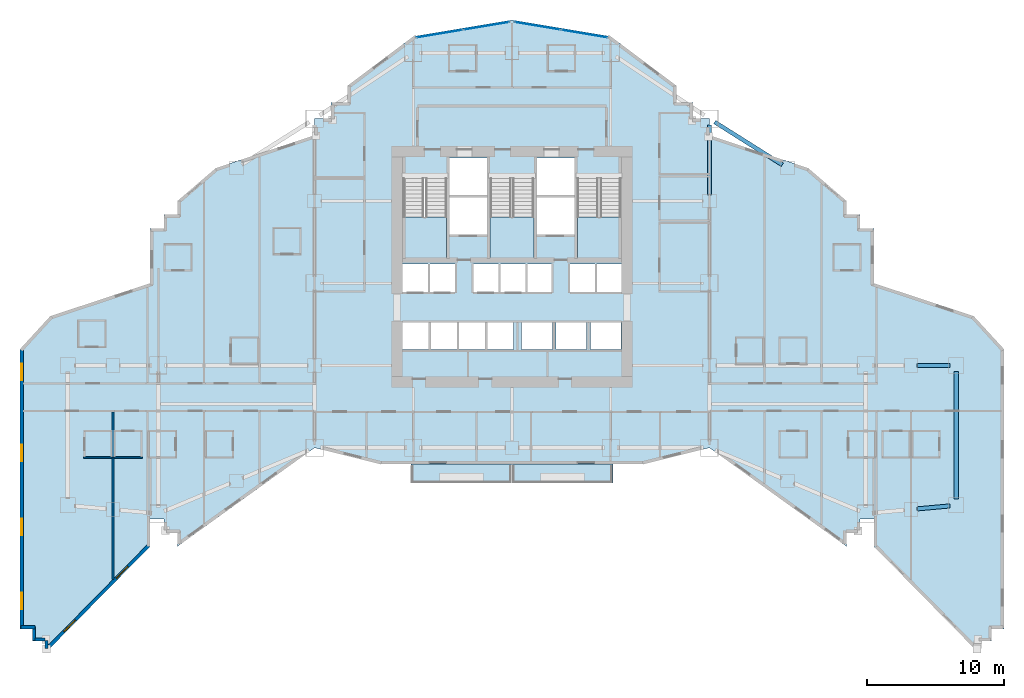
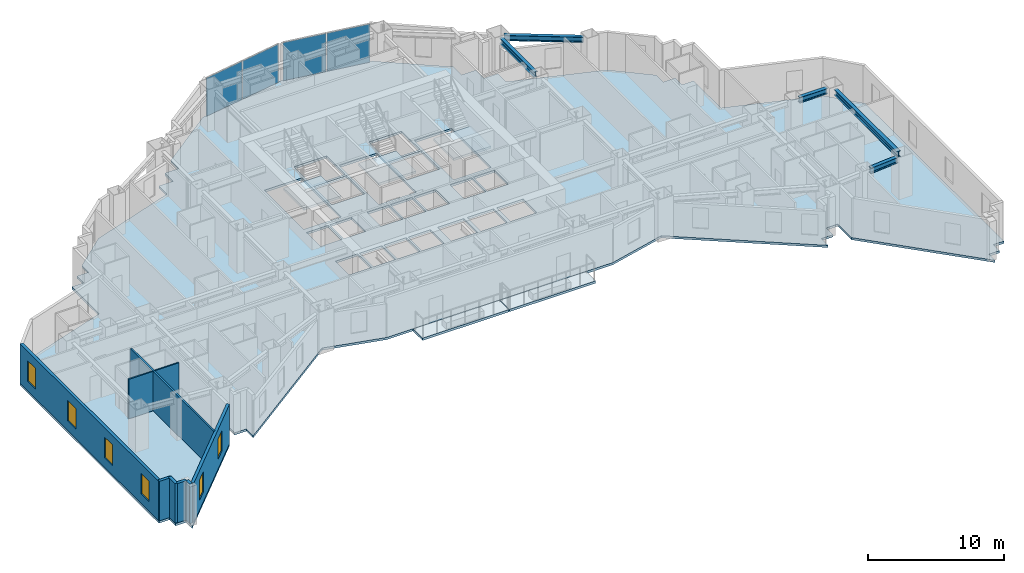
# One storey, part 6 of 19: 9 walls, 6 slabs, 6 windows, 5 beams, 4 plates, 6 openings, 5 elements without a shape of their own.
"""IFC4 building model written with IfcOpenShell, lengths in metres."""

import ifcopenshell
import ifcopenshell.guid

model = None  # the IFC model being written
_history = None  # IfcOwnerHistory: only IFC2X3 demands one
_inside = {}  # id of a spatial element -> (the spatial element, [elements in it])
_under = {}  # id of a project, library or spatial element -> (it, [spatial elements below it])
_declared = {}  # id of a project -> (the project, [libraries it declares])
_typed = {}  # id of a type object -> (the type object, [elements of that type])
_made_of = {}  # id of a material, layer set ... -> (it, [elements and type objects made of it])


def new_model(schema):
    """Start an empty IFC model of exactly this schema.

    Asked for "IFC4X3", IfcOpenShell would pick the latest addendum, in which some entities
    have other attributes; the version numbers below select the first issue.
    IFC2X3 requires an IfcOwnerHistory on every rooted entity: one is made here for all.
    """
    global model, _history
    if schema == "IFC4X3":
        model = ifcopenshell.file(schema_version=(4, 3, 0, 0))
    else:
        model = ifcopenshell.file(schema=schema)
    _inside.clear()
    _under.clear()
    _declared.clear()
    _typed.clear()
    _made_of.clear()
    _history = None
    if model.schema == "IFC2X3":
        org = make("IfcOrganization", Name="unknown")
        user = make(
            "IfcPersonAndOrganization",
            ThePerson=make("IfcPerson", FamilyName="unknown"),
            TheOrganization=org,
        )
        app = make(
            "IfcApplication",
            ApplicationDeveloper=org,
            Version="unknown",
            ApplicationFullName="unknown",
            ApplicationIdentifier="unknown",
        )
        _history = make(
            "IfcOwnerHistory",
            OwningUser=user,
            OwningApplication=app,
            ChangeAction="ADDED",
            CreationDate=0,
        )
    return model


def make(cls, **values):
    """One entity of the class cls with the attributes given. An attribute that is None is left unset."""
    return model.create_entity(
        cls, **{name: value for name, value in values.items() if value is not None}
    )


def rooted(cls, **values):
    """An entity with a GlobalId (a new one), such as an element, a storey or a relation."""
    return make(cls, GlobalId=ifcopenshell.guid.new(), OwnerHistory=_history, **values)


def si_unit(unit_type, name, prefix=None):
    """IfcSIUnit, for example si_unit("LENGTHUNIT", "METRE", prefix="MILLI")."""
    return make("IfcSIUnit", UnitType=unit_type, Prefix=prefix, Name=name)


def assignment(units):
    """IfcUnitAssignment: the units of a project."""
    return None if units is None else make("IfcUnitAssignment", Units=units)


def point(xyz):
    """IfcCartesianPoint."""
    return None if xyz is None else make("IfcCartesianPoint", Coordinates=xyz)


def direction(xyz):
    """IfcDirection."""
    return None if xyz is None else make("IfcDirection", DirectionRatios=xyz)


def frame(location, z_axis=None, x_axis=None):
    """IfcAxis2Placement3D, a coordinate frame: its origin and axes. An axis left out is left unset."""
    return make(
        "IfcAxis2Placement3D",
        Location=point(location),
        Axis=direction(z_axis),
        RefDirection=direction(x_axis),
    )


def frame_2d(location, x_axis=None):
    """IfcAxis2Placement2D, a coordinate frame in the plane: its origin and x axis."""
    return make(
        "IfcAxis2Placement2D", Location=point(location), RefDirection=direction(x_axis)
    )


def origin():
    """The frame at (0, 0, 0) with its axes left unset."""
    return frame((0.0, 0.0, 0.0))


def origin_2d():
    """The frame at (0, 0) in the plane with its x axis left unset."""
    return frame_2d((0.0, 0.0))


def place(relative_to, where):
    """IfcLocalPlacement: puts the frame where relative to a parent placement (None: the world)."""
    return make(
        "IfcLocalPlacement", PlacementRelTo=relative_to, RelativePlacement=where
    )


def context(
    kind, dimensions, precision=None, world=None, true_north=None, identifier=None
):
    """IfcGeometricRepresentationContext, for example the 3D "Model" context."""
    return make(
        "IfcGeometricRepresentationContext",
        ContextIdentifier=identifier,
        ContextType=kind,
        CoordinateSpaceDimension=dimensions,
        Precision=precision,
        WorldCoordinateSystem=world,
        TrueNorth=true_north,
    )


def subcontext(parent, identifier, kind, view, scale=None):
    """IfcGeometricRepresentationSubContext, for example "Body" below "Model"."""
    return make(
        "IfcGeometricRepresentationSubContext",
        ContextIdentifier=identifier,
        ContextType=kind,
        ParentContext=parent,
        TargetScale=scale,
        TargetView=view,
    )


def project(units=None, contexts=None):
    """IfcProject with its units and contexts."""
    return rooted(
        "IfcProject",
        Name="project",
        RepresentationContexts=contexts,
        UnitsInContext=assignment(units),
    )


def spatial(cls, under=None, at=None, **own):
    """A site, building, storey or space (cls), placed at a placement, below another one or the project."""
    s = rooted(cls, ObjectPlacement=at, **own)
    if under is not None:
        _under.setdefault(under.id(), (under, []))[1].append(s)
    return s


def polyline(points):
    """IfcPolyline through the points."""
    return make("IfcPolyline", Points=[point(p) for p in points])


def profile(cls, at=None, kind="AREA", **sizes):
    """A parametric profile (cls). Its sizes go by their IFC names, for example OverallWidth=200.0."""
    return make(cls, ProfileType=kind, Position=at, **sizes)


def rectangle(**sizes):
    """IfcRectangleProfileDef."""
    return profile("IfcRectangleProfileDef", **sizes)


def i_section(**sizes):
    """IfcIShapeProfileDef."""
    return profile("IfcIShapeProfileDef", **sizes)


def outline(outer, holes=None, kind="AREA"):
    """IfcArbitraryClosedProfileDef: a profile drawn as a closed curve; with holes, ...WithVoids."""
    if holes is None:
        return make("IfcArbitraryClosedProfileDef", ProfileType=kind, OuterCurve=outer)
    return make(
        "IfcArbitraryProfileDefWithVoids",
        ProfileType=kind,
        OuterCurve=outer,
        InnerCurves=holes,
    )


def extrude(swept, where, along, depth):
    """IfcExtrudedAreaSolid: the profile swept, set in the frame where, extruded along a direction by depth."""
    return make(
        "IfcExtrudedAreaSolid",
        SweptArea=swept,
        Position=where,
        ExtrudedDirection=direction(along),
        Depth=depth,
    )


def shape(context_of_items, identifier, shape_type, items):
    """IfcShapeRepresentation: the items that make up one representation, for example the "Body"."""
    return make(
        "IfcShapeRepresentation",
        ContextOfItems=context_of_items,
        RepresentationIdentifier=identifier,
        RepresentationType=shape_type,
        Items=items,
    )


def material(Name=None, Category=None):
    """IfcMaterial."""
    return make("IfcMaterial", Name=Name, Category=Category)


def layer(
    of_material, thickness, ventilated=None, Name=None, Category=None, Priority=None
):
    """IfcMaterialLayer: one layer of a wall or slab, of a material (None: an air gap)."""
    return make(
        "IfcMaterialLayer",
        Material=of_material,
        LayerThickness=thickness,
        IsVentilated=ventilated,
        Name=Name,
        Category=Category,
        Priority=Priority,
    )


def layer_set(layers, Name=None):
    """IfcMaterialLayerSet."""
    return make("IfcMaterialLayerSet", MaterialLayers=layers, LayerSetName=Name)


def material_profile(
    of_material, cross_section, Name=None, Category=None, Priority=None
):
    """IfcMaterialProfile: a cross section and its material."""
    return make(
        "IfcMaterialProfile",
        Name=Name,
        Material=of_material,
        Profile=cross_section,
        Priority=Priority,
        Category=Category,
    )


def profile_set(profiles, Name=None, composite=None):
    """IfcMaterialProfileSet."""
    return make(
        "IfcMaterialProfileSet",
        Name=Name,
        MaterialProfiles=profiles,
        CompositeProfile=composite,
    )


def made_of(thing, what):
    """Note that an element or type object is made of a material, layer set ...; save() writes the relation."""
    if what is not None:
        _made_of.setdefault(what.id(), (what, []))[1].append(thing)
    return thing


def type_object(cls, material=None, **own):
    """A type object (cls), such as IfcWallType, which elements share."""
    return made_of(rooted(cls, **own), material)


def element(
    cls,
    number,
    at=None,
    inside=None,
    cuts=None,
    type_object=None,
    material=None,
    context=None,
    identifier="Body",
    shape_type=None,
    held_by="IfcProductDefinitionShape",
    body=None,
    shapes=None,
    **own,
):
    """One element of the class cls, such as IfcWall. Its Tag is "e" and its number.

    at: its placement. inside: the storey or other place that contains it. cuts: it is an
    opening in that element (IfcRelVoidsElement). A single representation is given by context,
    identifier, shape_type and body (its items); several are given by shapes. held_by: the class
    of the entity that holds the representations. save() writes the other relations.
    """
    e = rooted(cls, Tag="e%d" % number, ObjectPlacement=at, **own)
    if body is not None:
        shapes = [shape(context, identifier, shape_type, body)]
    if shapes is not None:
        e.Representation = make(held_by, Representations=shapes)
    if inside is not None:
        _inside.setdefault(inside.id(), (inside, []))[1].append(e)
    if cuts is not None:
        rooted(
            "IfcRelVoidsElement", RelatingBuildingElement=cuts, RelatedOpeningElement=e
        )
    if type_object is not None:
        _typed.setdefault(type_object.id(), (type_object, []))[1].append(e)
    return made_of(e, material)


def fill(opening, filler):
    """IfcRelFillsElement: the door or window that sits in an opening."""
    return rooted(
        "IfcRelFillsElement",
        RelatingOpeningElement=opening,
        RelatedBuildingElement=filler,
    )


def aggregate(whole, parts):
    """IfcRelAggregates: a whole, such as a stair, and the parts it consists of."""
    return rooted("IfcRelAggregates", RelatingObject=whole, RelatedObjects=parts)


def save(model, path):
    """Write the relations noted so far, then the file.

    IfcRelAggregates (storeys below a building ...), IfcRelContainedInSpatialStructure (elements
    in a storey), IfcRelDefinesByType, IfcRelAssociatesMaterial and IfcRelDeclares: one each for
    every whole, place, type object, material and project.
    """
    for whole, parts in _under.values():
        aggregate(whole, parts)
    for where, things in _inside.values():
        rooted(
            "IfcRelContainedInSpatialStructure",
            RelatedElements=things,
            RelatingStructure=where,
        )
    for kind, things in _typed.values():
        rooted("IfcRelDefinesByType", RelatedObjects=things, RelatingType=kind)
    for what, things in _made_of.values():
        rooted("IfcRelAssociatesMaterial", RelatedObjects=things, RelatingMaterial=what)
    for by, libraries in _declared.values():
        rooted("IfcRelDeclares", RelatingContext=by, RelatedDefinitions=libraries)
    model.write(path)


model = new_model("IFC4")

# Units and contexts
model_context = context("Model", 3, precision=1e-05, world=origin(), true_north=direction((0.0, 1.0)))
body_context = subcontext(model_context, "Body", "Model", "MODEL_VIEW")
ifc_project = project(units=[si_unit("LENGTHUNIT", "METRE"), si_unit("AREAUNIT", "SQUARE_METRE"), si_unit("VOLUMEUNIT", "CUBIC_METRE"), si_unit("PLANEANGLEUNIT", "RADIAN"), si_unit("MASSUNIT", "GRAM", prefix="KILO")], contexts=[model_context])

# Site, building, storey
site_placement = place(None, origin())
site = spatial("IfcSite", under=ifc_project, at=site_placement, CompositionType="ELEMENT")
building_placement = place(site_placement, origin())
building = spatial("IfcBuilding", under=site, at=building_placement, Name="Haolan Belvedere Tower", CompositionType="ELEMENT")
storey_placement = place(building_placement, frame((0.0, 0.0, 39.199951171875)))
storey = spatial("IfcBuildingStorey", under=building, at=storey_placement, Name="L09", CompositionType="ELEMENT", Elevation=39.199951171875)

# Beams
ifc_material_1 = material(Name="Steel Q355B", Category="steel")
ifc_material_profile = material_profile(ifc_material_1, i_section(OverallWidth=0.300048828125, OverallDepth=0.488037109375, WebThickness=0.010986328125, FlangeThickness=0.01806640625, FilletRadius=0.02587890625, at=origin_2d()), Name="Steel Q355B")
ifc_profile_set = profile_set([ifc_material_profile], Name="Steel Q355B")
beam_type = type_object("IfcBeamType", Name="BM-HM488x300x11x18", PredefinedType="SPANDREL", material=ifc_profile_set)
beam_1_placement = place(storey_placement, frame((52.800048828125, 40.050048828125, 3.296142578125), z_axis=(0.0, 1.0, 0.0), x_axis=(-1.0, 0.0, 0.0)))
element("IfcBeam", 1, at=beam_1_placement, inside=storey, type_object=beam_type, Name="L09 spandrel girder TC-T3-E2-MC-T3-NE", PredefinedType="SPANDREL", context=body_context, shape_type="SweptSolid", body=[
    extrude(i_section(OverallWidth=0.300048828125, OverallDepth=0.488037109375, WebThickness=0.010986328125, FlangeThickness=0.01806640625, FilletRadius=0.02587890625, at=origin_2d()), origin(), (0.0, 0.0, 1.0), 5.099853515625),
])
beam_2_placement = place(storey_placement, frame((53.180419921875, 45.359619140625, 3.296142578125), z_axis=(0.845497840649, -0.533978839898, 0.0), x_axis=(0.533978839898, 0.845497840649, 0.0)))
element("IfcBeam", 2, at=beam_2_placement, inside=storey, type_object=beam_type, Name="L09 spandrel girder MC-T3-NE-TC-T4-N1", PredefinedType="SPANDREL", context=body_context, shape_type="SweptSolid", body=[
    extrude(i_section(OverallWidth=0.300048828125, OverallDepth=0.488037109375, WebThickness=0.010986328125, FlangeThickness=0.01806640625, FilletRadius=0.02587890625, at=origin_2d()), origin(), (0.0, 0.0, 1.0), 5.841796875),
])
beam_3_placement = place(storey_placement, frame((70.800048828125, 17.85009765625, 3.296142578125), z_axis=(0.0, 1.0, 0.0), x_axis=(-1.0, 0.0, 0.0)))
element("IfcBeam", 3, at=beam_3_placement, inside=storey, type_object=beam_type, Name="L09 spandrel girder MC-T5-SE-MC-T5-NE", PredefinedType="SPANDREL", context=body_context, shape_type="SweptSolid", body=[
    extrude(i_section(OverallWidth=0.300048828125, OverallDepth=0.488037109375, WebThickness=0.010986328125, FlangeThickness=0.01806640625, FilletRadius=0.02587890625, at=origin_2d()), origin(), (0.0, 0.0, 1.0), 9.2998046875),
])
beam_4_placement = place(storey_placement, frame((67.9482421875, 17.140625, 3.296142578125), z_axis=(0.995884080761, 0.090636072764, 0.0), x_axis=(-0.090636072764, 0.995884080761, 0.0)))
element("IfcBeam", 4, at=beam_4_placement, inside=storey, type_object=beam_type, Name="L09 spandrel girder TC-T5-M1-MC-T5-SE", PredefinedType="SPANDREL", context=body_context, shape_type="SweptSolid", body=[
    extrude(i_section(OverallWidth=0.300048828125, OverallDepth=0.488037109375, WebThickness=0.010986328125, FlangeThickness=0.01806640625, FilletRadius=0.02587890625, at=origin_2d()), origin(), (0.0, 0.0, 1.0), 2.41357421875),
])
beam_5_placement = place(storey_placement, frame((67.949951171875, 27.60009765625, 3.296142578125), z_axis=(1.0, 0.0, 0.0), x_axis=(0.0, 1.0, 0.0)))
element("IfcBeam", 5, at=beam_5_placement, inside=storey, type_object=beam_type, Name="L09 spandrel girder TC-T5-M2-MC-T5-NE", PredefinedType="SPANDREL", context=body_context, shape_type="SweptSolid", body=[
    extrude(i_section(OverallWidth=0.300048828125, OverallDepth=0.488037109375, WebThickness=0.010986328125, FlangeThickness=0.01806640625, FilletRadius=0.02587890625, at=origin_2d()), origin(), (0.0, 0.0, 1.0), 2.400146484375),
])

# Curtain wall, plates
ifc_material_2 = material(Name="Anodised champagne-silver aluminium 6063-T6 and Low-E glass", Category="aluminium")
ifc_layer_1 = layer(ifc_material_2, 0.1650390625, Name="Anodised champagne-silver aluminium 6063-T6 and Low-E glass")
ifc_layer_set_1 = layer_set([ifc_layer_1], Name="Anodised champagne-silver aluminium 6063-T6 and Low-E glass")
curtain_wall_type = type_object("IfcCurtainWallType", Name="CW-SYS-02", PredefinedType="NOTDEFINED", material=ifc_layer_set_1)
curtain_wall_1_placement = place(storey_placement, origin())
curtain_wall_1 = element("IfcCurtainWall", 6, at=curtain_wall_1_placement, inside=storey, type_object=curtain_wall_type, Name="L09 CW-SYS-02 ribbon curtain wall 42.1", PredefinedType="NOTDEFINED")
ifc_material_3 = material(Name="Double silver Low-E laminated insulating glass", Category="glass")
ifc_layer_2 = layer(ifc_material_3, 0.02587890625, Name="Double silver Low-E laminated insulating glass")
ifc_layer_set_2 = layer_set([ifc_layer_2], Name="Double silver Low-E laminated insulating glass")
plate_type = type_object("IfcPlateType", Name="CW-SYS-02-PNL", PredefinedType="CURTAIN_PANEL", material=ifc_layer_set_2)
plate_1_placement = place(storey_placement, frame((43.6796875, 51.79833984375, 0.05517578125), z_axis=(0.0, 0.0, 1.0), x_axis=(-0.9863931483, 0.16440364043, 0.0)))
plate_1 = element("IfcPlate", 7, at=plate_1_placement, type_object=plate_type, Name="CW-02 panel 1.1", PredefinedType="CURTAIN_PANEL", context=body_context, shape_type="SweptSolid", body=[
    extrude(rectangle(XDim=3.39501953125, YDim=0.02587890625, at=origin_2d()), origin(), (0.0, 0.0, 1.0), 3.429931640625),
])
plate_2_placement = place(storey_placement, frame((40.271728515625, 52.366455078125, 0.05517578125), z_axis=(0.0, 0.0, 1.0), x_axis=(-0.9863931483, 0.16440364043, 0.0)))
plate_2 = element("IfcPlate", 8, at=plate_2_placement, type_object=plate_type, Name="CW-02 panel 2.1", PredefinedType="CURTAIN_PANEL", context=body_context, shape_type="SweptSolid", body=[
    extrude(rectangle(XDim=3.39501953125, YDim=0.02587890625, at=origin_2d()), origin(), (0.0, 0.0, 1.0), 3.429931640625),
])
aggregate(curtain_wall_1, [plate_1, plate_2])

curtain_wall_2_placement = place(storey_placement, origin())
curtain_wall_2 = element("IfcCurtainWall", 9, at=curtain_wall_2_placement, inside=storey, type_object=curtain_wall_type, Name="L09 CW-SYS-02 ribbon curtain wall 43.1", PredefinedType="NOTDEFINED")
plate_3_placement = place(storey_placement, frame((36.5283203125, 52.366455078125, 0.05517578125), z_axis=(0.0, 0.0, 1.0), x_axis=(-0.9863931483, -0.16440364043, 0.0)))
plate_3 = element("IfcPlate", 10, at=plate_3_placement, type_object=plate_type, Name="CW-02 panel 1.1", PredefinedType="CURTAIN_PANEL", context=body_context, shape_type="SweptSolid", body=[
    extrude(rectangle(XDim=3.39501953125, YDim=0.02587890625, at=origin_2d()), origin(), (0.0, 0.0, 1.0), 3.429931640625),
])
plate_4_placement = place(storey_placement, frame((33.120361328125, 51.79833984375, 0.05517578125), z_axis=(0.0, 0.0, 1.0), x_axis=(-0.9863931483, -0.16440364043, 0.0)))
plate_4 = element("IfcPlate", 11, at=plate_4_placement, type_object=plate_type, Name="CW-02 panel 2.1", PredefinedType="CURTAIN_PANEL", context=body_context, shape_type="SweptSolid", body=[
    extrude(rectangle(XDim=3.39501953125, YDim=0.02587890625, at=origin_2d()), origin(), (0.0, 0.0, 1.0), 3.429931640625),
])
aggregate(curtain_wall_2, [plate_3, plate_4])

# Slabs
ifc_material_4 = material(Name="Concrete C40/50", Category="concrete")
ifc_layer_3 = layer(ifc_material_4, 0.2099609375, Name="Concrete C40/50")
ifc_layer_set_3 = layer_set([ifc_layer_3], Name="Concrete C40/50")
slab_type_1 = type_object("IfcSlabType", Name="SL-BAL-210", PredefinedType="FLOOR", material=ifc_layer_set_3)
slab_1_placement = place(storey_placement, frame((0.0, 0.0, -0.22998046875)))
element("IfcSlab", 12, at=slab_1_placement, inside=storey, type_object=slab_type_1, Name="L09 structural tree-planter balcony slab BAL-L09-S1", PredefinedType="FLOOR", context=body_context, shape_type="SweptSolid", body=[
    extrude(outline(polyline([(31.050048828125, 19.02001953125), (38.3798828125, 19.02001953125), (38.3798828125, 20.39990234375), (31.050048828125, 20.39990234375), (31.050048828125, 19.02001953125)])), origin(), (0.0, 0.0, 1.0), 0.2099609375),
])
slab_2_placement = place(storey_placement, frame((0.0, 0.0, -0.22998046875)))
element("IfcSlab", 13, at=slab_2_placement, inside=storey, type_object=slab_type_1, Name="L09 structural tree-planter balcony slab BAL-L09-S2", PredefinedType="FLOOR", context=body_context, shape_type="SweptSolid", body=[
    extrude(outline(polyline([(38.419921875, 19.02001953125), (45.75, 19.02001953125), (45.75, 20.39990234375), (38.419921875, 20.39990234375), (38.419921875, 19.02001953125)])), origin(), (0.0, 0.0, 1.0), 0.2099609375),
])
ifc_layer_4 = layer(ifc_material_4, 0.199951171875, Name="Concrete C40/50")
ifc_layer_set_4 = layer_set([ifc_layer_4], Name="Concrete C40/50")
slab_type_2 = type_object("IfcSlabType", Name="SL-FLR-200", PredefinedType="FLOOR", material=ifc_layer_set_4)
slab_3_placement = place(storey_placement, frame((0.0, 0.0, -0.199951171875)))
element("IfcSlab", 14, at=slab_3_placement, inside=storey, type_object=slab_type_2, Name="L09 structural floor slab", PredefinedType="FLOOR", context=body_context, shape_type="SweptSolid", body=[
    extrude(outline(polyline([(2.52001953125, 28.800048828125), (2.52001953125, 8.993896484375), (2.52001953125, 8.39404296875), (3.419921875, 8.39404296875), (3.419921875, 7.493896484375), (4.320068359375, 7.493896484375), (4.320068359375, 6.593994140625), (12.0, 14.39990234375), (12.0, 16.39990234375), (13.0, 16.39990234375), (13.0, 15.39990234375), (14.0, 15.39990234375), (14.0, 14.39990234375), (24.0, 21.60009765625), (28.800048828125, 20.39990234375), (48.0, 20.39990234375), (52.800048828125, 21.60009765625), (62.800048828125, 14.39990234375), (62.800048828125, 15.39990234375), (63.800048828125, 15.39990234375), (63.800048828125, 16.39990234375), (64.800048828125, 16.39990234375), (64.800048828125, 14.39990234375), (72.47998046875, 6.593994140625), (72.47998046875, 7.493896484375), (73.3798828125, 7.493896484375), (73.3798828125, 8.39404296875), (74.280029296875, 8.39404296875), (74.280029296875, 28.800048828125), (72.080078125, 31.199951171875), (64.800048828125, 33.60009765625), (64.800048828125, 37.60009765625), (63.800048828125, 37.60009765625), (63.800048828125, 38.60009765625), (62.800048828125, 38.60009765625), (62.800048828125, 39.60009765625), (60.0, 42.0), (52.800048828125, 44.39990234375), (52.800048828125, 45.60009765625), (51.60009765625, 45.60009765625), (51.60009765625, 46.800048828125), (50.39990234375, 46.800048828125), (50.39990234375, 48.0), (45.60009765625, 51.60009765625), (38.39990234375, 52.800048828125), (31.199951171875, 51.60009765625), (26.39990234375, 48.0), (26.39990234375, 46.800048828125), (25.199951171875, 46.800048828125), (25.199951171875, 45.60009765625), (24.0, 45.60009765625), (24.0, 44.39990234375), (16.800048828125, 42.0), (14.0, 39.60009765625), (14.0, 38.60009765625), (13.0, 38.60009765625), (13.0, 37.60009765625), (12.0, 37.60009765625), (12.0, 33.60009765625), (4.719970703125, 31.199951171875), (2.52001953125, 28.800048828125)]), holes=[polyline([(30.449951171875, 41.22998046875), (30.449951171875, 35.449951171875), (33.6298828125, 35.449951171875), (33.6298828125, 41.22998046875), (30.449951171875, 41.22998046875)]), polyline([(36.81005859375, 41.22998046875), (36.81005859375, 35.449951171875), (39.989990234375, 35.449951171875), (39.989990234375, 41.22998046875), (36.81005859375, 41.22998046875)]), polyline([(43.169921875, 41.22998046875), (43.169921875, 35.449951171875), (46.35009765625, 35.449951171875), (46.35009765625, 41.22998046875), (43.169921875, 41.22998046875)]), polyline([(33.830078125, 40.050048828125), (36.610107421875, 40.050048828125), (36.610107421875, 42.75), (33.830078125, 42.75), (33.830078125, 40.050048828125)]), polyline([(33.830078125, 37.14990234375), (36.610107421875, 37.14990234375), (36.610107421875, 39.85009765625), (33.830078125, 39.85009765625), (33.830078125, 37.14990234375)]), polyline([(40.18994140625, 40.050048828125), (42.969970703125, 40.050048828125), (42.969970703125, 42.75), (40.18994140625, 42.75), (40.18994140625, 40.050048828125)]), polyline([(40.18994140625, 37.14990234375), (42.969970703125, 37.14990234375), (42.969970703125, 39.85009765625), (40.18994140625, 39.85009765625), (40.18994140625, 37.14990234375)]), polyline([(30.419921875, 32.949951171875), (32.27001953125, 32.949951171875), (32.27001953125, 35.0), (30.419921875, 35.0), (30.419921875, 32.949951171875)]), polyline([(32.409912109375, 32.949951171875), (34.260009765625, 32.949951171875), (34.260009765625, 35.0), (32.409912109375, 35.0), (32.409912109375, 32.949951171875)]), polyline([(35.56005859375, 32.949951171875), (37.409912109375, 32.949951171875), (37.409912109375, 35.0), (35.56005859375, 35.0), (35.56005859375, 32.949951171875)]), polyline([(37.550048828125, 32.949951171875), (39.39990234375, 32.949951171875), (39.39990234375, 35.0), (37.550048828125, 35.0), (37.550048828125, 32.949951171875)]), polyline([(39.5400390625, 32.949951171875), (41.389892578125, 32.949951171875), (41.389892578125, 35.0), (39.5400390625, 35.0), (39.5400390625, 32.949951171875)]), polyline([(42.6201171875, 32.949951171875), (44.469970703125, 32.949951171875), (44.469970703125, 35.0), (42.6201171875, 35.0), (42.6201171875, 32.949951171875)]), polyline([(44.580078125, 32.949951171875), (46.3798828125, 32.949951171875), (46.3798828125, 35.0), (44.580078125, 35.0), (44.580078125, 32.949951171875)]), polyline([(30.419921875, 28.75), (32.320068359375, 28.75), (32.320068359375, 30.75), (30.419921875, 30.75), (30.419921875, 28.75)]), polyline([(32.47998046875, 28.75), (34.3798828125, 28.75), (34.3798828125, 30.75), (32.47998046875, 30.75), (32.47998046875, 28.75)]), polyline([(34.5400390625, 28.75), (36.43994140625, 28.75), (36.43994140625, 30.75), (34.5400390625, 30.75), (34.5400390625, 28.75)]), polyline([(36.60009765625, 28.75), (38.5, 28.75), (38.5, 30.75), (36.60009765625, 30.75), (36.60009765625, 28.75)]), polyline([(39.10009765625, 28.75), (41.340087890625, 28.75), (41.340087890625, 30.75), (39.10009765625, 30.75), (39.10009765625, 28.75)]), polyline([(41.610107421875, 28.75), (43.85009765625, 28.75), (43.85009765625, 30.75), (41.610107421875, 30.75), (41.610107421875, 28.75)]), polyline([(44.1201171875, 28.75), (46.360107421875, 28.75), (46.360107421875, 30.75), (44.1201171875, 30.75), (44.1201171875, 28.75)])]), origin(), (0.0, 0.0, 1.0), 0.199951171875),
])

# Stair, slab
stair_type = type_object("IfcStairType", Name="STR-DL-22R-173", PredefinedType="HALF_TURN_STAIR", material=ifc_material_4)
stair_1_placement = place(storey_placement, origin())
stair_1 = element("IfcStair", 15, at=stair_1_placement, inside=storey, type_object=stair_type, Name="L09 Smokeproof Core Exit Stair ST1", PredefinedType="HALF_TURN_STAIR")
ifc_layer_5 = layer(ifc_material_4, 0.199951171875, Name="Concrete C40/50")
ifc_layer_set_5 = layer_set([ifc_layer_5], Name="Concrete C40/50")
slab_type_3 = type_object("IfcSlabType", Name="SL-LAND-200", PredefinedType="LANDING", material=ifc_layer_set_5)
slab_4_placement = place(storey_placement, frame((0.0, 0.0, 1.699951171875)))
slab_4 = element("IfcSlab", 16, at=slab_4_placement, type_object=slab_type_3, Name="ST1 landing 1", PredefinedType="LANDING", context=body_context, shape_type="SweptSolid", body=[
    extrude(outline(polyline([(30.449951171875, 38.429931640625), (30.449951171875, 35.449951171875), (33.6298828125, 35.449951171875), (33.6298828125, 38.429931640625), (30.449951171875, 38.429931640625)])), origin(), (0.0, 0.0, 1.0), 0.2001953125),
])
aggregate(stair_1, [slab_4])

stair_2_placement = place(storey_placement, origin())
stair_2 = element("IfcStair", 17, at=stair_2_placement, inside=storey, type_object=stair_type, Name="L09 Smokeproof Core Exit Stair ST3", PredefinedType="HALF_TURN_STAIR")
slab_5_placement = place(storey_placement, frame((0.0, 0.0, 1.699951171875)))
slab_5 = element("IfcSlab", 18, at=slab_5_placement, type_object=slab_type_3, Name="ST3 landing 1", PredefinedType="LANDING", context=body_context, shape_type="SweptSolid", body=[
    extrude(outline(polyline([(36.81005859375, 38.429931640625), (36.81005859375, 35.449951171875), (39.989990234375, 35.449951171875), (39.989990234375, 38.429931640625), (36.81005859375, 38.429931640625)])), origin(), (0.0, 0.0, 1.0), 0.2001953125),
])
aggregate(stair_2, [slab_5])

stair_3_placement = place(storey_placement, origin())
stair_3 = element("IfcStair", 19, at=stair_3_placement, inside=storey, type_object=stair_type, Name="L09 Smokeproof Core Exit Stair ST2", PredefinedType="HALF_TURN_STAIR")
slab_6_placement = place(storey_placement, frame((0.0, 0.0, 1.699951171875)))
slab_6 = element("IfcSlab", 20, at=slab_6_placement, type_object=slab_type_3, Name="ST2 landing 1", PredefinedType="LANDING", context=body_context, shape_type="SweptSolid", body=[
    extrude(outline(polyline([(43.169921875, 38.429931640625), (43.169921875, 35.449951171875), (46.35009765625, 35.449951171875), (46.35009765625, 38.429931640625), (43.169921875, 38.429931640625)])), origin(), (0.0, 0.0, 1.0), 0.2001953125),
])
aggregate(stair_3, [slab_6])

# Walls
ifc_material_5 = material(Name="Precast concrete C40/50", Category="concrete")
ifc_layer_6 = layer(ifc_material_5, 0.239990234375, Name="Precast concrete C40/50")
ifc_layer_set_6 = layer_set([ifc_layer_6], Name="Precast concrete C40/50")
wall_type_1 = type_object("IfcWallType", Name="WL-EXT-240", PredefinedType="SOLIDWALL", material=ifc_layer_set_6)
for number, where, z_axis, x_axis, name in (
    (21, (2.5849609375, 8.513916015625, 0.0), (0.0, 0.0, 1.0), (1.0, 0.0, 0.0), "L09 pale-metal exterior spandrel wall 1.1"),
    (22, (3.5400390625, 8.569091796875, 0.0), (0.0, 0.0, 1.0), (0.0, -1.0, 0.0), "L09 pale-metal exterior spandrel wall 2.1"),
):
    element("IfcWall", number, at=place(storey_placement, frame(where, z_axis=z_axis, x_axis=x_axis)), inside=storey, type_object=wall_type_1, Name=name, PredefinedType="SOLIDWALL", context=body_context, shape_type="SweptSolid", body=[
        extrude(rectangle(XDim=1.010009765625, YDim=0.239990234375, at=frame_2d((0.5048828125, 0.0))), origin(), (0.0, 0.0, 1.0), 3.5400390625),
    ])
wall_1_placement = place(storey_placement, frame((3.60498046875, 7.614013671875, 0.0), z_axis=(0.0, 0.0, 1.0), x_axis=(1.0, 0.0, 0.0)))
element("IfcWall", 23, at=wall_1_placement, inside=storey, type_object=wall_type_1, Name="L09 pale-metal exterior spandrel wall 3.1", PredefinedType="SOLIDWALL", context=body_context, shape_type="SweptSolid", body=[
    extrude(rectangle(XDim=0.75, YDim=0.239990234375, at=frame_2d((0.375, 0.0))), origin(), (0.0, 0.0, 1.0), 3.5400390625),
])
wall_2_placement = place(storey_placement, frame((4.43994140625, 7.529052734375, 0.0), z_axis=(0.0, 0.0, 1.0), x_axis=(0.0, -1.0, 0.0)))
element("IfcWall", 24, at=wall_2_placement, inside=storey, type_object=wall_type_1, Name="L09 pale-metal exterior spandrel wall 4.1", PredefinedType="SOLIDWALL", context=body_context, shape_type="SweptSolid", body=[
    extrude(rectangle(XDim=0.556884765625, YDim=0.239990234375, at=frame_2d((0.2783203125, 0.0))), origin(), (0.0, 0.0, 1.0), 3.5400390625),
])

# Wall, openings, windows
wall_3_placement = place(storey_placement, frame((4.59423828125, 7.0439453125, 0.0), z_axis=(0.0, 0.0, 1.0), x_axis=(0.701344347017, 0.712822633554, 0.0)))
wall_3 = element("IfcWall", 25, at=wall_3_placement, inside=storey, type_object=wall_type_1, Name="L09 pale-metal exterior spandrel wall 5.1", PredefinedType="SOLIDWALL", context=body_context, shape_type="SweptSolid", body=[
    extrude(rectangle(XDim=10.443359375, YDim=0.239990234375, at=frame_2d((5.2216796875, 0.0))), origin(), (0.0, 0.0, 1.0), 3.5400390625),
])
opening_1_placement = place(wall_3_placement, frame((1.60009765625, 0.0, 0.85009765625)))
opening_1 = element("IfcOpeningElement", 26, at=opening_1_placement, cuts=wall_3, Name="Opening W-01", PredefinedType="OPENING", context=body_context, shape_type="SweptSolid", body=[
    extrude(rectangle(XDim=1.199951171875, YDim=1.85009765625, at=frame_2d((0.60009765625, 0.925048828125))), frame((0.0, 0.1298828125, 0.0), z_axis=(0.0, -1.0, 0.0), x_axis=(1.0, 0.0, 0.0)), (0.0, 0.0, 1.0), 0.260009765625),
])
opening_2_placement = place(wall_3_placement, frame((7.051513671875, 0.0, 0.85009765625)))
opening_2 = element("IfcOpeningElement", 27, at=opening_2_placement, cuts=wall_3, Name="Opening W-01", PredefinedType="OPENING", context=body_context, shape_type="SweptSolid", body=[
    extrude(rectangle(XDim=1.199951171875, YDim=1.85009765625, at=frame_2d((0.60009765625, 0.925048828125))), frame((0.0, 0.1298828125, 0.0), z_axis=(0.0, -1.0, 0.0), x_axis=(1.0, 0.0, 0.0)), (0.0, 0.0, 1.0), 0.260009765625),
])
ifc_material_6 = material(Name="Anodised aluminium 6063-T6 and Low-E glass", Category="aluminium")
window_type = type_object("IfcWindowType", Name="WN-DECO-Z1", PartitioningType="SINGLE_PANEL", PredefinedType="WINDOW", material=ifc_material_6)
window_1_placement = place(opening_1_placement, origin())
window_1 = element("IfcWindow", 28, at=window_1_placement, inside=storey, type_object=window_type, Name="L09 Art Deco chevron window 1", OverallHeight=1.85009765625, OverallWidth=1.199951171875, PartitioningType="SINGLE_PANEL", PredefinedType="WINDOW", context=body_context, shape_type="SweptSolid", body=[
    extrude(rectangle(XDim=1.199951171875, YDim=1.85009765625, at=frame_2d((0.60009765625, 0.925048828125))), frame((0.0, 0.030029296875, 0.0), z_axis=(0.0, -1.0, 0.0), x_axis=(1.0, 0.0, 0.0)), (0.0, 0.0, 1.0), 0.06005859375),
])
fill(opening_1, window_1)
window_2_placement = place(opening_2_placement, origin())
window_2 = element("IfcWindow", 29, at=window_2_placement, inside=storey, type_object=window_type, Name="L09 Art Deco chevron window 2", OverallHeight=1.85009765625, OverallWidth=1.199951171875, PartitioningType="SINGLE_PANEL", PredefinedType="WINDOW", context=body_context, shape_type="SweptSolid", body=[
    extrude(rectangle(XDim=1.199951171875, YDim=1.85009765625, at=frame_2d((0.60009765625, 0.925048828125))), frame((0.0, 0.030029296875, 0.0), z_axis=(0.0, -1.0, 0.0), x_axis=(1.0, 0.0, 0.0)), (0.0, 0.0, 1.0), 0.06005859375),
])
fill(opening_2, window_2)

wall_4_placement = place(storey_placement, frame((2.639892578125, 28.808349609375, 0.0), z_axis=(0.0, 0.0, 1.0), x_axis=(0.0, -1.0, 0.0)))
wall_4 = element("IfcWall", 30, at=wall_4_placement, inside=storey, type_object=wall_type_1, Name="L09 pale-metal exterior spandrel wall 59.1", PredefinedType="SOLIDWALL", context=body_context, shape_type="SweptSolid", body=[
    extrude(rectangle(XDim=20.349365234375, YDim=0.239990234375, at=frame_2d((10.1748046875, 0.0))), origin(), (0.0, 0.0, 1.0), 3.5400390625),
])
opening_3_placement = place(wall_4_placement, frame((1.09326171875, 0.0, 0.85009765625)))
opening_3 = element("IfcOpeningElement", 31, at=opening_3_placement, cuts=wall_4, Name="Opening W-01", PredefinedType="OPENING", context=body_context, shape_type="SweptSolid", body=[
    extrude(rectangle(XDim=1.199951171875, YDim=1.85009765625, at=frame_2d((0.60009765625, 0.925048828125))), frame((0.0, 0.1298828125, 0.0), z_axis=(0.0, -1.0, 0.0), x_axis=(1.0, 0.0, 0.0)), (0.0, 0.0, 1.0), 0.260009765625),
])
opening_4_placement = place(wall_4_placement, frame((7.0, 0.0, 0.85009765625)))
opening_4 = element("IfcOpeningElement", 32, at=opening_4_placement, cuts=wall_4, Name="Opening W-01", PredefinedType="OPENING", context=body_context, shape_type="SweptSolid", body=[
    extrude(rectangle(XDim=1.199951171875, YDim=1.85009765625, at=frame_2d((0.60009765625, 0.925048828125))), frame((0.0, 0.1298828125, 0.0), z_axis=(0.0, -1.0, 0.0), x_axis=(1.0, 0.0, 0.0)), (0.0, 0.0, 1.0), 0.260009765625),
])
opening_5_placement = place(wall_4_placement, frame((12.39990234375, 0.0, 0.85009765625)))
opening_5 = element("IfcOpeningElement", 33, at=opening_5_placement, cuts=wall_4, Name="Opening W-01", PredefinedType="OPENING", context=body_context, shape_type="SweptSolid", body=[
    extrude(rectangle(XDim=1.199951171875, YDim=1.85009765625, at=frame_2d((0.60009765625, 0.925048828125))), frame((0.0, 0.1298828125, 0.0), z_axis=(0.0, -1.0, 0.0), x_axis=(1.0, 0.0, 0.0)), (0.0, 0.0, 1.0), 0.260009765625),
])
opening_6_placement = place(wall_4_placement, frame((17.800048828125, 0.0, 0.85009765625)))
opening_6 = element("IfcOpeningElement", 34, at=opening_6_placement, cuts=wall_4, Name="Opening W-01", PredefinedType="OPENING", context=body_context, shape_type="SweptSolid", body=[
    extrude(rectangle(XDim=1.199951171875, YDim=1.85009765625, at=frame_2d((0.60009765625, 0.925048828125))), frame((0.0, 0.1298828125, 0.0), z_axis=(0.0, -1.0, 0.0), x_axis=(1.0, 0.0, 0.0)), (0.0, 0.0, 1.0), 0.260009765625),
])
window_3_placement = place(opening_3_placement, origin())
window_3 = element("IfcWindow", 35, at=window_3_placement, inside=storey, type_object=window_type, Name="L09 Art Deco chevron window 1", OverallHeight=1.85009765625, OverallWidth=1.199951171875, PartitioningType="SINGLE_PANEL", PredefinedType="WINDOW", context=body_context, shape_type="SweptSolid", body=[
    extrude(rectangle(XDim=1.199951171875, YDim=1.85009765625, at=frame_2d((0.60009765625, 0.925048828125))), frame((0.0, 0.030029296875, 0.0), z_axis=(0.0, -1.0, 0.0), x_axis=(1.0, 0.0, 0.0)), (0.0, 0.0, 1.0), 0.06005859375),
])
fill(opening_3, window_3)
window_4_placement = place(opening_4_placement, origin())
window_4 = element("IfcWindow", 36, at=window_4_placement, inside=storey, type_object=window_type, Name="L09 Art Deco chevron window 2", OverallHeight=1.85009765625, OverallWidth=1.199951171875, PartitioningType="SINGLE_PANEL", PredefinedType="WINDOW", context=body_context, shape_type="SweptSolid", body=[
    extrude(rectangle(XDim=1.199951171875, YDim=1.85009765625, at=frame_2d((0.60009765625, 0.925048828125))), frame((0.0, 0.030029296875, 0.0), z_axis=(0.0, -1.0, 0.0), x_axis=(1.0, 0.0, 0.0)), (0.0, 0.0, 1.0), 0.06005859375),
])
fill(opening_4, window_4)
window_5_placement = place(opening_5_placement, origin())
window_5 = element("IfcWindow", 37, at=window_5_placement, inside=storey, type_object=window_type, Name="L09 Art Deco chevron window 3", OverallHeight=1.85009765625, OverallWidth=1.199951171875, PartitioningType="SINGLE_PANEL", PredefinedType="WINDOW", context=body_context, shape_type="SweptSolid", body=[
    extrude(rectangle(XDim=1.199951171875, YDim=1.85009765625, at=frame_2d((0.60009765625, 0.925048828125))), frame((0.0, 0.030029296875, 0.0), z_axis=(0.0, -1.0, 0.0), x_axis=(1.0, 0.0, 0.0)), (0.0, 0.0, 1.0), 0.06005859375),
])
fill(opening_5, window_5)
window_6_placement = place(opening_6_placement, origin())
window_6 = element("IfcWindow", 38, at=window_6_placement, inside=storey, type_object=window_type, Name="L09 Art Deco chevron window 4", OverallHeight=1.85009765625, OverallWidth=1.199951171875, PartitioningType="SINGLE_PANEL", PredefinedType="WINDOW", context=body_context, shape_type="SweptSolid", body=[
    extrude(rectangle(XDim=1.199951171875, YDim=1.85009765625, at=frame_2d((0.60009765625, 0.925048828125))), frame((0.0, 0.030029296875, 0.0), z_axis=(0.0, -1.0, 0.0), x_axis=(1.0, 0.0, 0.0)), (0.0, 0.0, 1.0), 0.06005859375),
])
fill(opening_6, window_6)

# Walls
ifc_material_7 = material(Name="Double gypsum acoustic stud partition", Category="masonry")
ifc_layer_7 = layer(ifc_material_7, 0.14990234375, Name="Double gypsum acoustic stud partition")
ifc_layer_set_7 = layer_set([ifc_layer_7], Name="Double gypsum acoustic stud partition")
wall_type_2 = type_object("IfcWallType", Name="WL-PART-150", PredefinedType="PARTITIONING", material=ifc_layer_set_7)
wall_5_placement = place(storey_placement, frame((9.300048828125, 11.9765625, 0.0), z_axis=(0.0, 0.0, 1.0), x_axis=(0.0, 1.0, 0.0)))
element("IfcWall", 39, at=wall_5_placement, inside=storey, type_object=wall_type_2, Name="L09 interior partition IW-L09-T1S1-E", PredefinedType="PARTITIONING", context=body_context, shape_type="SweptSolid", body=[
    extrude(rectangle(XDim=12.2333984375, YDim=0.14990234375, at=frame_2d((6.11669921875, 0.0))), origin(), (0.0, 0.0, 1.0), 3.5400390625),
])
ifc_material_8 = material(Name="Moisture-resistant gypsum tile partition", Category="masonry")
ifc_layer_8 = layer(ifc_material_8, 0.1201171875, Name="Moisture-resistant gypsum tile partition")
ifc_layer_set_8 = layer_set([ifc_layer_8], Name="Moisture-resistant gypsum tile partition")
wall_type_3 = type_object("IfcWallType", Name="WL-WET-120", PredefinedType="PARTITIONING", material=ifc_layer_set_8)
wall_6_placement = place(storey_placement, frame((7.159912109375, 20.89990234375, 0.0), z_axis=(0.0, 0.0, 1.0), x_axis=(1.0, 0.0, 0.0)))
element("IfcWall", 40, at=wall_6_placement, inside=storey, type_object=wall_type_3, Name="L09 interior partition IW-L09-T1S1-BS", PredefinedType="PARTITIONING", context=body_context, shape_type="SweptSolid", body=[
    extrude(rectangle(XDim=2.080078125, YDim=0.1201171875, at=frame_2d((1.0400390625, 0.0))), origin(), (0.0, 0.0, 1.0), 3.5400390625),
])
wall_7_placement = place(storey_placement, frame((9.360107421875, 20.89990234375, 0.0), z_axis=(0.0, 0.0, 1.0), x_axis=(1.0, 0.0, 0.0)))
element("IfcWall", 41, at=wall_7_placement, inside=storey, type_object=wall_type_3, Name="L09 interior partition IW-L09-T1S2-BS", PredefinedType="PARTITIONING", context=body_context, shape_type="SweptSolid", body=[
    extrude(rectangle(XDim=2.079833984375, YDim=0.1201171875, at=frame_2d((1.0400390625, 0.0))), origin(), (0.0, 0.0, 1.0), 3.5400390625),
])

save(model, "model.ifc")
